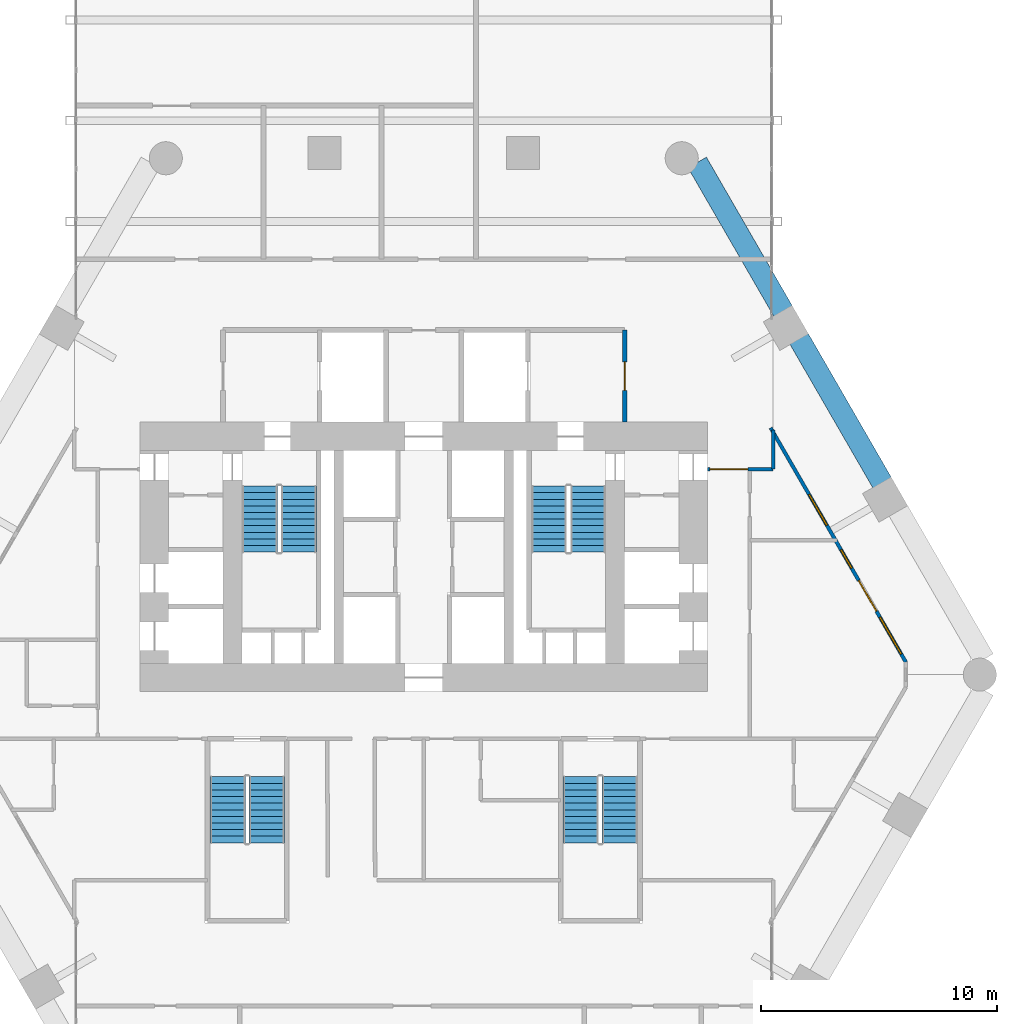
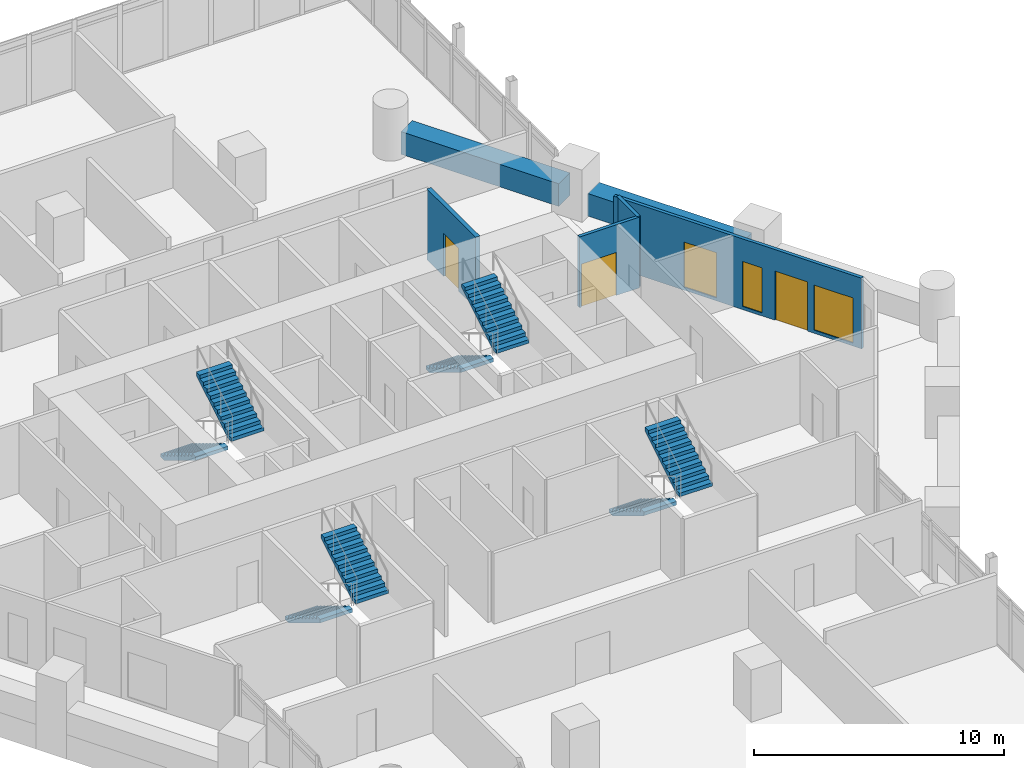
# One storey, part 27 of 28: 8 stair flights, 6 walls, 3 doors, 3 windows, 6 openings, 4 elements without a shape of their own.
"""IFC4 building model written with IfcOpenShell, lengths in metres."""

from ifc_helpers import new_model, si_unit, direction, frame, frame_2d, origin, place, context, subcontext, project, spatial, polyline, rectangle, outline, extrude, material, layer, layer_set, type_object, element, fill, aggregate, save


model = new_model("IFC4")

# Units and contexts
model_context = context("Model", 3, precision=1e-05, world=origin(), true_north=direction((0.0, 1.0)))
body_context = subcontext(model_context, "Body", "Model", "MODEL_VIEW")
ifc_project = project(units=[si_unit("LENGTHUNIT", "METRE"), si_unit("AREAUNIT", "SQUARE_METRE"), si_unit("VOLUMEUNIT", "CUBIC_METRE"), si_unit("PLANEANGLEUNIT", "RADIAN"), si_unit("MASSUNIT", "GRAM", prefix="KILO")], contexts=[model_context])

# Site, building, storey
site_placement = place(None, origin())
site = spatial("IfcSite", under=ifc_project, at=site_placement, CompositionType="ELEMENT")
building_placement = place(site_placement, origin())
building = spatial("IfcBuilding", under=site, at=building_placement, Name="Ostrander Bayou Hotel Tower", CompositionType="ELEMENT")
storey_placement = place(building_placement, frame((0.0, 0.0, 76.75)))
storey = spatial("IfcBuildingStorey", under=building, at=storey_placement, Name="L19", CompositionType="ELEMENT", Elevation=76.75)

# Wall, openings, door, windows
ifc_material_1 = material(Name="Aluminium framed insulated wall", Category="aluminium")
ifc_layer_1 = layer(ifc_material_1, 0.14990234375)
ifc_layer_set_1 = layer_set([ifc_layer_1], Name="GW1 glass-line wall 150 mm")
wall_type_1 = type_object("IfcWallType", Name="GW1 glass-line wall 150 mm", PredefinedType="SOLIDWALL", material=ifc_layer_set_1)
wall_1_placement = place(storey_placement, frame((20.40087890625, -0.449462890625, 0.0), z_axis=(0.0, 0.0, 1.0), x_axis=(-0.499991453095, 0.866030338286, 0.0)))
wall_1 = element("IfcWall", 1, at=wall_1_placement, inside=storey, type_object=wall_type_1, Name="GW1 L19 NE 1", PredefinedType="SOLIDWALL", context=body_context, shape_type="SweptSolid", body=[
    extrude(rectangle(XDim=11.444091796875, YDim=0.14990234375, at=frame_2d((5.72216796875, 0.0))), origin(), (0.0, 0.0, 1.0), 3.449951171875),
])
opening_1_placement = place(wall_1_placement, frame((0.3896484375, 0.0, 0.14990234375)))
opening_1 = element("IfcOpeningElement", 2, at=opening_1_placement, cuts=wall_1, Name="Opening W7", PredefinedType="OPENING", context=body_context, shape_type="SweptSolid", body=[
    extrude(rectangle(XDim=1.800048828125, YDim=2.199951171875, at=frame_2d((0.89990234375, 1.10009765625))), frame((0.0, 0.074951171875, 0.0), z_axis=(0.0, -1.0, 0.0), x_axis=(1.0, 0.0, 0.0)), (0.0, 0.0, 1.0), 0.14990234375),
])
opening_2_placement = place(wall_1_placement, frame((2.48974609375, 0.0, 0.0)))
opening_2 = element("IfcOpeningElement", 3, at=opening_2_placement, cuts=wall_1, Name="Opening T18-801", PredefinedType="OPENING", context=body_context, shape_type="SweptSolid", body=[
    extrude(rectangle(XDim=1.5, YDim=2.39990234375, at=frame_2d((0.75, 1.199951171875))), frame((0.0, 0.074951171875, 0.0), z_axis=(0.0, -1.0, 0.0), x_axis=(1.0, 0.0, 0.0)), (0.0, 0.0, 1.0), 0.14990234375),
])
opening_3_placement = place(wall_1_placement, frame((4.589599609375, 0.0, 0.14990234375)))
opening_3 = element("IfcOpeningElement", 4, at=opening_3_placement, cuts=wall_1, Name="Opening W15", PredefinedType="OPENING", context=body_context, shape_type="SweptSolid", body=[
    extrude(rectangle(XDim=0.89990234375, YDim=2.199951171875, at=frame_2d((0.449951171875, 1.10009765625))), frame((0.0, 0.074951171875, 0.0), z_axis=(0.0, -1.0, 0.0), x_axis=(1.0, 0.0, 0.0)), (0.0, 0.0, 1.0), 0.14990234375),
])
opening_4_placement = place(wall_1_placement, frame((6.689697265625, 0.0, 0.14990234375)))
opening_4 = element("IfcOpeningElement", 5, at=opening_4_placement, cuts=wall_1, Name="Opening W11", PredefinedType="OPENING", context=body_context, shape_type="SweptSolid", body=[
    extrude(rectangle(XDim=1.5, YDim=2.199951171875, at=frame_2d((0.75, 1.10009765625))), frame((0.0, 0.074951171875, 0.0), z_axis=(0.0, -1.0, 0.0), x_axis=(1.0, 0.0, 0.0)), (0.0, 0.0, 1.0), 0.14990234375),
])
ifc_material_2 = material(Name="Aluminium and clear glass", Category="aluminium")
door_type_1 = type_object("IfcDoorType", Name="SD1 sliding glass door 1500 mm, zone 1", OperationType="SLIDING_TO_LEFT", PredefinedType="DOOR", material=ifc_material_2)
door_1_placement = place(opening_2_placement, origin())
door_1 = element("IfcDoor", 6, at=door_1_placement, inside=storey, type_object=door_type_1, Name="SD1 L19 NE 1", OperationType="SLIDING_TO_LEFT", OverallHeight=2.39990234375, OverallWidth=1.5, PredefinedType="DOOR", context=body_context, shape_type="SweptSolid", body=[
    extrude(rectangle(XDim=1.5, YDim=2.39990234375, at=frame_2d((0.75, 1.199951171875))), frame((0.0, 0.02490234375, 0.0), z_axis=(0.0, -1.0, 0.0), x_axis=(1.0, 0.0, 0.0)), (0.0, 0.0, 1.0), 0.050048828125),
])
fill(opening_2, door_1)
ifc_material_3 = material(Name="Aluminium and clear glass", Category="aluminium")
window_type_1 = type_object("IfcWindowType", Name="W11 fixed window 1500 mm, bath bay, zone 1", PartitioningType="SINGLE_PANEL", PredefinedType="WINDOW", material=ifc_material_3)
window_1_placement = place(opening_4_placement, origin())
window_1 = element("IfcWindow", 7, at=window_1_placement, inside=storey, type_object=window_type_1, Name="W11 L19 NE 2", OverallHeight=2.199951171875, OverallWidth=1.5, PartitioningType="SINGLE_PANEL", PredefinedType="WINDOW", context=body_context, shape_type="SweptSolid", body=[
    extrude(rectangle(XDim=1.5, YDim=2.199951171875, at=frame_2d((0.75, 1.10009765625))), frame((0.0, 0.030029296875, 0.0), z_axis=(0.0, -1.0, 0.0), x_axis=(1.0, 0.0, 0.0)), (0.0, 0.0, 1.0), 0.06005859375),
])
fill(opening_4, window_1)
ifc_material_4 = material(Name="Aluminium and clear glass", Category="aluminium")
window_type_2 = type_object("IfcWindowType", Name="W15 window 900 mm, zone 1", PartitioningType="SINGLE_PANEL", PredefinedType="WINDOW", material=ifc_material_4)
window_2_placement = place(opening_3_placement, origin())
window_2 = element("IfcWindow", 8, at=window_2_placement, inside=storey, type_object=window_type_2, Name="W15 L19 NE 2", OverallHeight=2.199951171875, OverallWidth=0.89990234375, PartitioningType="SINGLE_PANEL", PredefinedType="WINDOW", context=body_context, shape_type="SweptSolid", body=[
    extrude(rectangle(XDim=0.89990234375, YDim=2.199951171875, at=frame_2d((0.449951171875, 1.10009765625))), frame((0.0, 0.030029296875, 0.0), z_axis=(0.0, -1.0, 0.0), x_axis=(1.0, 0.0, 0.0)), (0.0, 0.0, 1.0), 0.06005859375),
])
fill(opening_3, window_2)
ifc_material_5 = material(Name="Aluminium and clear glass", Category="aluminium")
window_type_3 = type_object("IfcWindowType", Name="W7 fixed window 1800 mm, bar storeys, zone 1", PartitioningType="SINGLE_PANEL", PredefinedType="WINDOW", material=ifc_material_5)
window_3_placement = place(opening_1_placement, origin())
window_3 = element("IfcWindow", 9, at=window_3_placement, inside=storey, type_object=window_type_3, Name="W7 L19 NE 1", OverallHeight=2.199951171875, OverallWidth=1.800048828125, PartitioningType="SINGLE_PANEL", PredefinedType="WINDOW", context=body_context, shape_type="SweptSolid", body=[
    extrude(rectangle(XDim=1.800048828125, YDim=2.199951171875, at=frame_2d((0.89990234375, 1.10009765625))), frame((0.0, 0.030029296875, 0.0), z_axis=(0.0, -1.0, 0.0), x_axis=(1.0, 0.0, 0.0)), (0.0, 0.0, 1.0), 0.06005859375),
])
fill(opening_1, window_3)

# Walls
ifc_material_6 = material(Name="Concrete f'c 40 MPa", Category="concrete")
ifc_layer_2 = layer(ifc_material_6, 0.89990234375)
ifc_layer_set_2 = layer_set([ifc_layer_2], Name="PA1 stone-faced parapet 900 mm")
wall_type_2 = type_object("IfcWallType", Name="PA1 stone-faced parapet 900 mm", PredefinedType="PARAPET", material=ifc_layer_set_2)
wall_2_placement = place(storey_placement, frame((19.402099609375, 7.131103515625, 0.0), z_axis=(0.0, 0.0, 1.0), x_axis=(-0.500012199891, 0.86601836006, 0.0)))
element("IfcWall", 10, at=wall_2_placement, inside=storey, type_object=wall_type_2, Name="PA1 L19 NE-2", PredefinedType="PARAPET", context=body_context, shape_type="SweptSolid", body=[
    extrude(rectangle(XDim=7.050537109375, YDim=0.89990234375, at=frame_2d((3.525390625, 0.0))), origin(), (0.0, 0.0, 1.0), 1.10009765625),
])
wall_3_placement = place(storey_placement, frame((15.20654296875, 14.397705078125, 0.0), z_axis=(0.0, 0.0, 1.0), x_axis=(-0.50000343918, 0.866023418164, 0.0)))
element("IfcWall", 11, at=wall_3_placement, inside=storey, type_object=wall_type_2, Name="PA1 L19 NE-3", PredefinedType="PARAPET", context=body_context, shape_type="SweptSolid", body=[
    extrude(rectangle(XDim=7.2705078125, YDim=0.89990234375, at=frame_2d((3.63525390625, 0.0))), origin(), (0.0, 0.0, 1.0), 1.10009765625),
])

# Wall, opening, door
ifc_material_7 = material(Name="Masonry block", Category="masonry")
ifc_layer_3 = layer(ifc_material_7, 0.199951171875)
ifc_layer_set_3 = layer_set([ifc_layer_3], Name="PT5 stair enclosure wall 200 mm masonry, 2 hour")
wall_type_3 = type_object("IfcWallType", Name="PT5 stair enclosure wall 200 mm masonry, 2 hour", PredefinedType="PARTITIONING", material=ifc_layer_set_3)
wall_4_placement = place(storey_placement, frame((8.5, 9.699951171875, 0.0), z_axis=(0.0, 0.0, 1.0), x_axis=(0.0, 1.0, 0.0)))
wall_4 = element("IfcWall", 12, at=wall_4_placement, inside=storey, type_object=wall_type_3, Name="cs:L19:027", PredefinedType="PARTITIONING", context=body_context, shape_type="SweptSolid", body=[
    extrude(rectangle(XDim=3.900146484375, YDim=0.199951171875, at=frame_2d((1.9501953125, 0.0))), origin(), (0.0, 0.0, 1.0), 3.449951171875),
])
opening_5_placement = place(wall_4_placement, frame((1.35009765625, 0.0, 0.0)))
opening_5 = element("IfcOpeningElement", 13, at=opening_5_placement, cuts=wall_4, Name="Opening T18-012", PredefinedType="OPENING", context=body_context, shape_type="SweptSolid", body=[
    extrude(rectangle(XDim=1.199951171875, YDim=2.10009765625, at=frame_2d((0.60009765625, 1.050048828125))), frame((0.0, 0.10009765625, 0.0), z_axis=(0.0, -1.0, 0.0), x_axis=(1.0, 0.0, 0.0)), (0.0, 0.0, 1.0), 0.199951171875),
])
ifc_material_8 = material(Name="Timber door leaf", Category="wood")
door_type_2 = type_object("IfcDoorType", Name="D7 lobby door 1200 x 2100 mm, 1 hour", OperationType="SINGLE_SWING_LEFT", PredefinedType="DOOR", material=ifc_material_8)
door_2_placement = place(opening_5_placement, origin())
door_2 = element("IfcDoor", 14, at=door_2_placement, inside=storey, type_object=door_type_2, Name="dr:L19:012", OperationType="SINGLE_SWING_LEFT", OverallHeight=2.10009765625, OverallWidth=1.199951171875, PredefinedType="DOOR", context=body_context, shape_type="SweptSolid", body=[
    extrude(rectangle(XDim=1.199951171875, YDim=2.10009765625, at=frame_2d((0.60009765625, 1.050048828125))), frame((0.0, 0.02490234375, 0.0), z_axis=(0.0, -1.0, 0.0), x_axis=(1.0, 0.0, 0.0)), (0.0, 0.0, 1.0), 0.050048828125),
])
fill(opening_5, door_2)

ifc_material_9 = material(Name="Gypsum board partition", Category="finish")
ifc_layer_4 = layer(ifc_material_9, 0.14990234375)
ifc_layer_set_4 = layer_set([ifc_layer_4], Name="PT8 service band wall 150 mm, 1 hour")
wall_type_4 = type_object("IfcWallType", Name="PT8 service band wall 150 mm, 1 hour", PredefinedType="PARTITIONING", material=ifc_layer_set_4)
wall_5_placement = place(storey_placement, frame((12.010009765625, 7.715087890625, 0.0), z_axis=(0.0, 0.0, 1.0), x_axis=(1.0, 0.0, 0.0)))
wall_5 = element("IfcWall", 15, at=wall_5_placement, inside=storey, type_object=wall_type_4, Name="gw:L19:015", PredefinedType="PARTITIONING", context=body_context, shape_type="SweptSolid", body=[
    extrude(rectangle(XDim=2.77490234375, YDim=0.14990234375, at=frame_2d((1.387451171875, 0.0))), origin(), (0.0, 0.0, 1.0), 3.449951171875),
])
opening_6_placement = place(wall_5_placement, frame((0.10009765625, 0.0, 0.0)))
opening_6 = element("IfcOpeningElement", 16, at=opening_6_placement, cuts=wall_5, Name="Opening T18-1213", PredefinedType="OPENING", context=body_context, shape_type="SweptSolid", body=[
    extrude(rectangle(XDim=1.60009765625, YDim=2.10009765625, at=frame_2d((0.800048828125, 1.050048828125))), frame((0.0, 0.074951171875, 0.0), z_axis=(0.0, -1.0, 0.0), x_axis=(1.0, 0.0, 0.0)), (0.0, 0.0, 1.0), 0.14990234375),
])
ifc_material_10 = material(Name="Timber door leaf", Category="wood")
door_type_3 = type_object("IfcDoorType", Name="D13 double door 1600 x 2100 mm, 1 hour", OperationType="SINGLE_SWING_LEFT", PredefinedType="DOOR", material=ifc_material_10)
door_3_placement = place(opening_6_placement, origin())
door_3 = element("IfcDoor", 17, at=door_3_placement, inside=storey, type_object=door_type_3, Name="dr:L19:1213", OperationType="DOUBLE_DOOR_SINGLE_SWING", OverallHeight=2.10009765625, OverallWidth=1.60009765625, PredefinedType="DOOR", context=body_context, shape_type="SweptSolid", body=[
    extrude(rectangle(XDim=1.60009765625, YDim=2.10009765625, at=frame_2d((0.800048828125, 1.050048828125))), frame((0.0, 0.02490234375, 0.0), z_axis=(0.0, -1.0, 0.0), x_axis=(1.0, 0.0, 0.0)), (0.0, 0.0, 1.0), 0.050048828125),
])
fill(opening_6, door_3)

# Wall
wall_6_placement = place(storey_placement, frame((14.784912109375, 7.715087890625, 0.0), z_axis=(0.0, 0.0, 1.0), x_axis=(0.0, 1.0, 0.0)))
element("IfcWall", 18, at=wall_6_placement, inside=storey, type_object=wall_type_4, Name="gw:L19:018", PredefinedType="PARTITIONING", context=body_context, shape_type="SweptSolid", body=[
    extrude(rectangle(XDim=1.65283203125, YDim=0.14990234375, at=frame_2d((0.826416015625, 0.0))), origin(), (0.0, 0.0, 1.0), 3.449951171875),
])

# Stair, stair flights
ifc_material_11 = material(Name="Concrete f'c 45 MPa", Category="concrete")
stair_type = type_object("IfcStairType", Name="ST1 exit stair 1500 mm f'c 45 MPa", PredefinedType="HALF_TURN_STAIR", material=ifc_material_11)
stair_1_placement = place(storey_placement, origin())
stair_1 = element("IfcStair", 19, at=stair_1_placement, inside=storey, type_object=stair_type, Name="L19 exit stair A", PredefinedType="HALF_TURN_STAIR")
ifc_material_12 = material(Name="Concrete f'c 45 MPa", Category="concrete")
stair_flight_type = type_object("IfcStairFlightType", Name="SF1 stair flight 1500 mm f'c 45 MPa", PredefinedType="STRAIGHT", material=ifc_material_12)
stair_flight_1_placement = place(storey_placement, frame((-6.949951171875, 7.0, 0.0), z_axis=(0.0, 0.0, 1.0), x_axis=(0.0, -1.0, 0.0)))
stair_flight_1 = element("IfcStairFlight", 20, at=stair_flight_1_placement, type_object=stair_flight_type, Name="STA flight 1", NumberOfRisers=11, NumberOfTreads=10, PredefinedType="STRAIGHT", RiserHeight=0.170454545, TreadLength=0.28, context=body_context, shape_type="SweptSolid", body=[
    extrude(outline(polyline([(0.0, 0.0), (0.0, 0.17041015625), (0.280029296875, 0.17041015625), (0.280029296875, 0.3408203125), (0.56005859375, 0.3408203125), (0.56005859375, 0.511474609375), (0.840087890625, 0.511474609375), (0.840087890625, 0.681884765625), (1.1201171875, 0.681884765625), (1.1201171875, 0.852294921875), (1.39990234375, 0.852294921875), (1.39990234375, 1.022705078125), (1.679931640625, 1.022705078125), (1.679931640625, 1.193115234375), (1.9599609375, 1.193115234375), (1.9599609375, 1.363525390625), (2.239990234375, 1.363525390625), (2.239990234375, 1.5341796875), (2.52001953125, 1.5341796875), (2.52001953125, 1.70458984375), (2.800048828125, 1.70458984375), (2.800048828125, 1.875), (2.800048828125, 1.529052734375), (0.288330078125, 0.0), (0.0, 0.0)])), frame((0.0, 0.75, 0.0), z_axis=(0.0, -1.0, 0.0), x_axis=(1.0, 0.0, 0.0)), (0.0, 0.0, 1.0), 1.5),
])
stair_flight_2_placement = place(storey_placement, frame((-5.300048828125, 4.199951171875, 1.875), z_axis=(0.0, 0.0, 1.0), x_axis=(0.0, 1.0, 0.0)))
stair_flight_2 = element("IfcStairFlight", 21, at=stair_flight_2_placement, type_object=stair_flight_type, Name="STA flight 2", NumberOfRisers=11, NumberOfTreads=10, PredefinedType="STRAIGHT", RiserHeight=0.170454545, TreadLength=0.28, context=body_context, shape_type="SweptSolid", body=[
    extrude(outline(polyline([(0.0, 0.0), (0.0, 0.17041015625), (0.280029296875, 0.17041015625), (0.280029296875, 0.3408203125), (0.56005859375, 0.3408203125), (0.56005859375, 0.511474609375), (0.840087890625, 0.511474609375), (0.840087890625, 0.681884765625), (1.1201171875, 0.681884765625), (1.1201171875, 0.852294921875), (1.39990234375, 0.852294921875), (1.39990234375, 1.022705078125), (1.679931640625, 1.022705078125), (1.679931640625, 1.193115234375), (1.9599609375, 1.193115234375), (1.9599609375, 1.363525390625), (2.239990234375, 1.363525390625), (2.239990234375, 1.5341796875), (2.52001953125, 1.5341796875), (2.52001953125, 1.70458984375), (2.800048828125, 1.70458984375), (2.800048828125, 1.875), (2.800048828125, 1.529052734375), (0.288330078125, 0.0), (0.0, 0.0)])), frame((0.0, 0.75, 0.0), z_axis=(0.0, -1.0, 0.0), x_axis=(1.0, 0.0, 0.0)), (0.0, 0.0, 1.0), 1.5),
])
aggregate(stair_1, [stair_flight_1, stair_flight_2])

stair_2_placement = place(storey_placement, origin())
stair_2 = element("IfcStair", 22, at=stair_2_placement, inside=storey, type_object=stair_type, Name="L19 exit stair B", PredefinedType="HALF_TURN_STAIR")
stair_flight_3_placement = place(storey_placement, frame((5.300048828125, 7.0, 0.0), z_axis=(0.0, 0.0, 1.0), x_axis=(0.0, -1.0, 0.0)))
stair_flight_3 = element("IfcStairFlight", 23, at=stair_flight_3_placement, type_object=stair_flight_type, Name="STB flight 1", NumberOfRisers=11, NumberOfTreads=10, PredefinedType="STRAIGHT", RiserHeight=0.170454545, TreadLength=0.28, context=body_context, shape_type="SweptSolid", body=[
    extrude(outline(polyline([(0.0, 0.0), (0.0, 0.17041015625), (0.280029296875, 0.17041015625), (0.280029296875, 0.3408203125), (0.56005859375, 0.3408203125), (0.56005859375, 0.511474609375), (0.840087890625, 0.511474609375), (0.840087890625, 0.681884765625), (1.1201171875, 0.681884765625), (1.1201171875, 0.852294921875), (1.39990234375, 0.852294921875), (1.39990234375, 1.022705078125), (1.679931640625, 1.022705078125), (1.679931640625, 1.193115234375), (1.9599609375, 1.193115234375), (1.9599609375, 1.363525390625), (2.239990234375, 1.363525390625), (2.239990234375, 1.5341796875), (2.52001953125, 1.5341796875), (2.52001953125, 1.70458984375), (2.800048828125, 1.70458984375), (2.800048828125, 1.875), (2.800048828125, 1.529052734375), (0.288330078125, 0.0), (0.0, 0.0)])), frame((0.0, 0.75, 0.0), z_axis=(0.0, -1.0, 0.0), x_axis=(1.0, 0.0, 0.0)), (0.0, 0.0, 1.0), 1.5),
])
stair_flight_4_placement = place(storey_placement, frame((6.949951171875, 4.199951171875, 1.875), z_axis=(0.0, 0.0, 1.0), x_axis=(0.0, 1.0, 0.0)))
stair_flight_4 = element("IfcStairFlight", 24, at=stair_flight_4_placement, type_object=stair_flight_type, Name="STB flight 2", NumberOfRisers=11, NumberOfTreads=10, PredefinedType="STRAIGHT", RiserHeight=0.170454545, TreadLength=0.28, context=body_context, shape_type="SweptSolid", body=[
    extrude(outline(polyline([(0.0, 0.0), (0.0, 0.17041015625), (0.280029296875, 0.17041015625), (0.280029296875, 0.3408203125), (0.56005859375, 0.3408203125), (0.56005859375, 0.511474609375), (0.840087890625, 0.511474609375), (0.840087890625, 0.681884765625), (1.1201171875, 0.681884765625), (1.1201171875, 0.852294921875), (1.39990234375, 0.852294921875), (1.39990234375, 1.022705078125), (1.679931640625, 1.022705078125), (1.679931640625, 1.193115234375), (1.9599609375, 1.193115234375), (1.9599609375, 1.363525390625), (2.239990234375, 1.363525390625), (2.239990234375, 1.5341796875), (2.52001953125, 1.5341796875), (2.52001953125, 1.70458984375), (2.800048828125, 1.70458984375), (2.800048828125, 1.875), (2.800048828125, 1.529052734375), (0.288330078125, 0.0), (0.0, 0.0)])), frame((0.0, 0.75, 0.0), z_axis=(0.0, -1.0, 0.0), x_axis=(1.0, 0.0, 0.0)), (0.0, 0.0, 1.0), 1.5),
])
aggregate(stair_2, [stair_flight_3, stair_flight_4])

stair_3_placement = place(storey_placement, origin())
stair_3 = element("IfcStair", 25, at=stair_3_placement, inside=storey, type_object=stair_type, Name="L19 exit stair C", PredefinedType="HALF_TURN_STAIR")
stair_flight_5_placement = place(storey_placement, frame((6.64990234375, -5.300048828125, 0.0), z_axis=(0.0, 0.0, 1.0), x_axis=(0.0, -1.0, 0.0)))
stair_flight_5 = element("IfcStairFlight", 26, at=stair_flight_5_placement, type_object=stair_flight_type, Name="STC flight 1", NumberOfRisers=11, NumberOfTreads=10, PredefinedType="STRAIGHT", RiserHeight=0.170454545, TreadLength=0.28, context=body_context, shape_type="SweptSolid", body=[
    extrude(outline(polyline([(0.0, 0.0), (0.0, 0.17041015625), (0.280029296875, 0.17041015625), (0.280029296875, 0.3408203125), (0.56005859375, 0.3408203125), (0.56005859375, 0.511474609375), (0.840087890625, 0.511474609375), (0.840087890625, 0.681884765625), (1.1201171875, 0.681884765625), (1.1201171875, 0.852294921875), (1.39990234375, 0.852294921875), (1.39990234375, 1.022705078125), (1.679931640625, 1.022705078125), (1.679931640625, 1.193115234375), (1.9599609375, 1.193115234375), (1.9599609375, 1.363525390625), (2.239990234375, 1.363525390625), (2.239990234375, 1.5341796875), (2.52001953125, 1.5341796875), (2.52001953125, 1.70458984375), (2.800048828125, 1.70458984375), (2.800048828125, 1.875), (2.800048828125, 1.529052734375), (0.288330078125, 0.0), (0.0, 0.0)])), frame((0.0, 0.75, 0.0), z_axis=(0.0, -1.0, 0.0), x_axis=(1.0, 0.0, 0.0)), (0.0, 0.0, 1.0), 1.5),
])
stair_flight_6_placement = place(storey_placement, frame((8.300048828125, -8.10009765625, 1.875), z_axis=(0.0, 0.0, 1.0), x_axis=(0.0, 1.0, 0.0)))
stair_flight_6 = element("IfcStairFlight", 27, at=stair_flight_6_placement, type_object=stair_flight_type, Name="STC flight 2", NumberOfRisers=11, NumberOfTreads=10, PredefinedType="STRAIGHT", RiserHeight=0.170454545, TreadLength=0.28, context=body_context, shape_type="SweptSolid", body=[
    extrude(outline(polyline([(0.0, 0.0), (0.0, 0.17041015625), (0.280029296875, 0.17041015625), (0.280029296875, 0.3408203125), (0.56005859375, 0.3408203125), (0.56005859375, 0.511474609375), (0.840087890625, 0.511474609375), (0.840087890625, 0.681884765625), (1.1201171875, 0.681884765625), (1.1201171875, 0.852294921875), (1.39990234375, 0.852294921875), (1.39990234375, 1.022705078125), (1.679931640625, 1.022705078125), (1.679931640625, 1.193115234375), (1.9599609375, 1.193115234375), (1.9599609375, 1.363525390625), (2.239990234375, 1.363525390625), (2.239990234375, 1.5341796875), (2.52001953125, 1.5341796875), (2.52001953125, 1.70458984375), (2.800048828125, 1.70458984375), (2.800048828125, 1.875), (2.800048828125, 1.529052734375), (0.288330078125, 0.0), (0.0, 0.0)])), frame((0.0, 0.75, 0.0), z_axis=(0.0, -1.0, 0.0), x_axis=(1.0, 0.0, 0.0)), (0.0, 0.0, 1.0), 1.5),
])
aggregate(stair_3, [stair_flight_5, stair_flight_6])

stair_4_placement = place(storey_placement, origin())
stair_4 = element("IfcStair", 28, at=stair_4_placement, inside=storey, type_object=stair_type, Name="L19 exit stair D", PredefinedType="HALF_TURN_STAIR")
stair_flight_7_placement = place(storey_placement, frame((-8.300048828125, -5.300048828125, 0.0), z_axis=(0.0, 0.0, 1.0), x_axis=(0.0, -1.0, 0.0)))
stair_flight_7 = element("IfcStairFlight", 29, at=stair_flight_7_placement, type_object=stair_flight_type, Name="STD flight 1", NumberOfRisers=11, NumberOfTreads=10, PredefinedType="STRAIGHT", RiserHeight=0.170454545, TreadLength=0.28, context=body_context, shape_type="SweptSolid", body=[
    extrude(outline(polyline([(0.0, 0.0), (0.0, 0.17041015625), (0.280029296875, 0.17041015625), (0.280029296875, 0.3408203125), (0.56005859375, 0.3408203125), (0.56005859375, 0.511474609375), (0.840087890625, 0.511474609375), (0.840087890625, 0.681884765625), (1.1201171875, 0.681884765625), (1.1201171875, 0.852294921875), (1.39990234375, 0.852294921875), (1.39990234375, 1.022705078125), (1.679931640625, 1.022705078125), (1.679931640625, 1.193115234375), (1.9599609375, 1.193115234375), (1.9599609375, 1.363525390625), (2.239990234375, 1.363525390625), (2.239990234375, 1.5341796875), (2.52001953125, 1.5341796875), (2.52001953125, 1.70458984375), (2.800048828125, 1.70458984375), (2.800048828125, 1.875), (2.800048828125, 1.529052734375), (0.288330078125, 0.0), (0.0, 0.0)])), frame((0.0, 0.75, 0.0), z_axis=(0.0, -1.0, 0.0), x_axis=(1.0, 0.0, 0.0)), (0.0, 0.0, 1.0), 1.5),
])
stair_flight_8_placement = place(storey_placement, frame((-6.64990234375, -8.10009765625, 1.875), z_axis=(0.0, 0.0, 1.0), x_axis=(0.0, 1.0, 0.0)))
stair_flight_8 = element("IfcStairFlight", 30, at=stair_flight_8_placement, type_object=stair_flight_type, Name="STD flight 2", NumberOfRisers=11, NumberOfTreads=10, PredefinedType="STRAIGHT", RiserHeight=0.170454545, TreadLength=0.28, context=body_context, shape_type="SweptSolid", body=[
    extrude(outline(polyline([(0.0, 0.0), (0.0, 0.17041015625), (0.280029296875, 0.17041015625), (0.280029296875, 0.3408203125), (0.56005859375, 0.3408203125), (0.56005859375, 0.511474609375), (0.840087890625, 0.511474609375), (0.840087890625, 0.681884765625), (1.1201171875, 0.681884765625), (1.1201171875, 0.852294921875), (1.39990234375, 0.852294921875), (1.39990234375, 1.022705078125), (1.679931640625, 1.022705078125), (1.679931640625, 1.193115234375), (1.9599609375, 1.193115234375), (1.9599609375, 1.363525390625), (2.239990234375, 1.363525390625), (2.239990234375, 1.5341796875), (2.52001953125, 1.5341796875), (2.52001953125, 1.70458984375), (2.800048828125, 1.70458984375), (2.800048828125, 1.875), (2.800048828125, 1.529052734375), (0.288330078125, 0.0), (0.0, 0.0)])), frame((0.0, 0.75, 0.0), z_axis=(0.0, -1.0, 0.0), x_axis=(1.0, 0.0, 0.0)), (0.0, 0.0, 1.0), 1.5),
])
aggregate(stair_4, [stair_flight_7, stair_flight_8])

save(model, "model.ifc")
